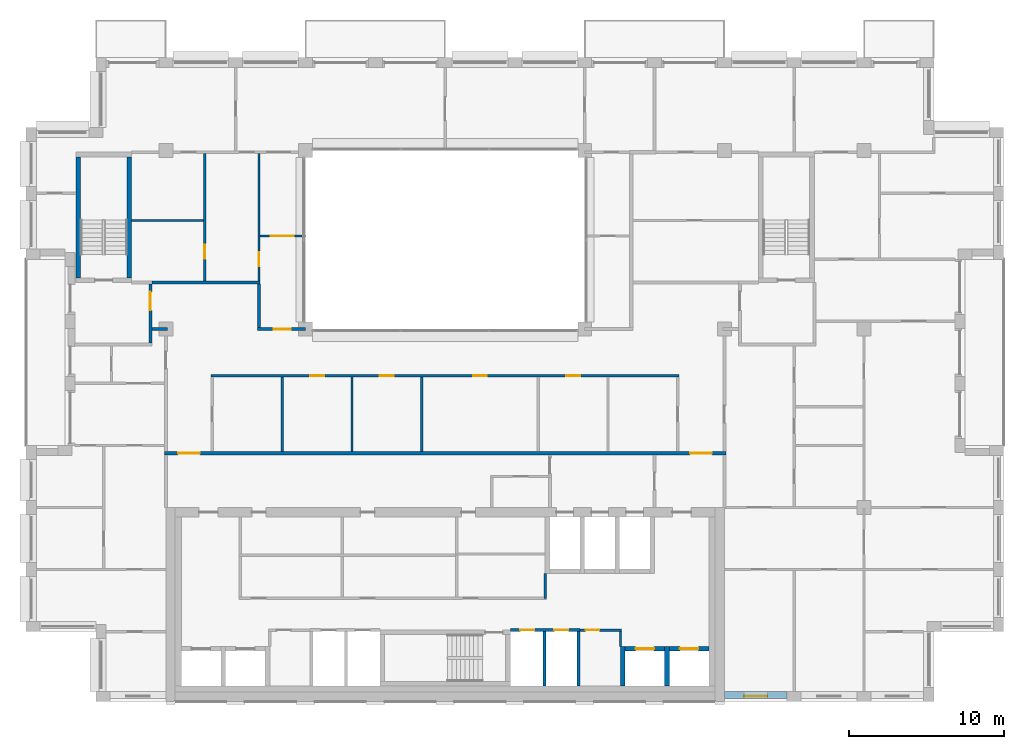
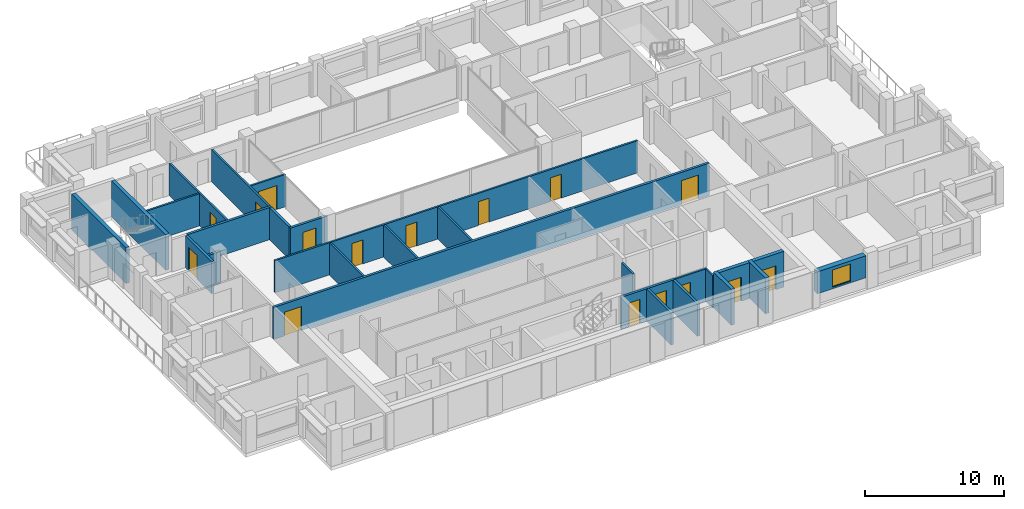
# One storey, part 10 of 15: 27 walls, 16 doors, 1 window, 17 openings.
"""IFC4 building model written with IfcOpenShell, lengths in metres."""

from ifc_helpers import new_model, si_unit, direction, frame, frame_2d, origin, place, context, subcontext, project, spatial, rectangle, extrude, material, layer, layer_set, type_object, element, fill, save


model = new_model("IFC4")

# Units and contexts
model_context = context("Model", 3, precision=1e-05, world=origin(), true_north=direction((0.0, 1.0)))
body_context = subcontext(model_context, "Body", "Model", "MODEL_VIEW")
ifc_project = project(units=[si_unit("LENGTHUNIT", "METRE"), si_unit("AREAUNIT", "SQUARE_METRE"), si_unit("VOLUMEUNIT", "CUBIC_METRE"), si_unit("PLANEANGLEUNIT", "RADIAN"), si_unit("MASSUNIT", "GRAM", prefix="KILO")], contexts=[model_context])

# Site, building, storey
site_placement = place(None, origin())
site = spatial("IfcSite", under=ifc_project, at=site_placement, CompositionType="ELEMENT")
building_placement = place(site_placement, origin())
building = spatial("IfcBuilding", under=site, at=building_placement, Name="Brigalow Station Residences", CompositionType="ELEMENT")
storey_placement = place(building_placement, frame((0.0, 0.0, 229.5)))
storey = spatial("IfcBuildingStorey", under=building, at=storey_placement, Name="L66", CompositionType="ELEMENT", Elevation=229.5)

# Wall, opening, window
ifc_material_1 = material(Name="Clay brick masonry", Category="masonry")
ifc_layer_1 = layer(ifc_material_1, 0.449951171875)
ifc_layer_set_1 = layer_set([ifc_layer_1], Name="BRICK INFILL WALL 450")
wall_type_1 = type_object("IfcWallType", Name="BRICK INFILL WALL 450", PredefinedType="SOLIDWALL", material=ifc_layer_set_1)
wall_1_placement = place(storey_placement, frame((54.0, 0.425048828125, 0.89990234375), z_axis=(0.0, 0.0, 1.0), x_axis=(1.0, 0.0, 0.0)))
wall_1 = element("IfcWall", 1, at=wall_1_placement, inside=storey, type_object=wall_type_1, Name="L66/ewall/W-L66-3", PredefinedType="SOLIDWALL", context=body_context, shape_type="SweptSolid", body=[
    extrude(rectangle(XDim=4.050048828125, YDim=0.449951171875, at=frame_2d((2.02490234375, 0.0))), origin(), (0.0, 0.0, 1.0), 1.93017578125),
])
opening_1_placement = place(wall_1_placement, frame((1.27490234375, 0.0, 0.14990234375)))
opening_1 = element("IfcOpeningElement", 2, at=opening_1_placement, cuts=wall_1, Name="Opening WT-1", PredefinedType="OPENING", context=body_context, shape_type="SweptSolid", body=[
    extrude(rectangle(XDim=1.5, YDim=1.5, at=frame_2d((0.75, 0.75))), frame((0.0, 0.23486328125, 0.0), z_axis=(0.0, -1.0, 0.0), x_axis=(1.0, 0.0, 0.0)), (0.0, 0.0, 1.0), 0.469970703125),
])
ifc_material_2 = material(Name="Anodised aluminium frame with double glazing", Category="aluminium")
window_type = type_object("IfcWindowType", Name="WINDOW 1500x1500", PartitioningType="SINGLE_PANEL", PredefinedType="WINDOW", material=ifc_material_2)
window_placement = place(opening_1_placement, origin())
window = element("IfcWindow", 3, at=window_placement, inside=storey, type_object=window_type, Name="L66/window/W-L66-3", OverallHeight=1.5, OverallWidth=1.5, PartitioningType="SINGLE_PANEL", PredefinedType="WINDOW", context=body_context, shape_type="SweptSolid", body=[
    extrude(rectangle(XDim=1.5, YDim=1.5, at=frame_2d((0.75, 0.75))), frame((0.0, -0.06494140625, 0.0), z_axis=(0.0, -1.0, 0.0), x_axis=(1.0, 0.0, 0.0)), (0.0, 0.0, 1.0), 0.06005859375),
])
fill(opening_1, window)

# Wall, opening, door
ifc_material_3 = material(Name="Concrete C50", Category="concrete")
ifc_layer_2 = layer(ifc_material_3, 0.300048828125)
ifc_layer_set_2 = layer_set([ifc_layer_2], Name="CORE SHEAR WALL 300 C50")
wall_type_2 = type_object("IfcWallType", Name="CORE SHEAR WALL 300 C50", PredefinedType="SHEAR", material=ifc_layer_set_2)
wall_2_placement = place(storey_placement, frame((47.60009765625, 3.39990234375, 0.0), z_axis=(0.0, 0.0, 1.0), x_axis=(1.0, 0.0, 0.0)))
wall_2 = element("IfcWall", 4, at=wall_2_placement, inside=storey, type_object=wall_type_2, Name="CORE WALL SH-C3-N L66", PredefinedType="SHEAR", context=body_context, shape_type="SweptSolid", body=[
    extrude(rectangle(XDim=2.5498046875, YDim=0.300048828125, at=frame_2d((1.27490234375, 0.0))), origin(), (0.0, 0.0, 1.0), 3.14990234375),
])
opening_2_placement = place(wall_2_placement, frame((0.675048828125, 0.0, 0.0)))
opening_2 = element("IfcOpeningElement", 5, at=opening_2_placement, cuts=wall_2, Name="Opening LD-LB3", PredefinedType="OPENING", context=body_context, shape_type="SweptSolid", body=[
    extrude(rectangle(XDim=1.199951171875, YDim=2.10009765625, at=frame_2d((0.60009765625, 1.050048828125))), frame((0.0, 0.16015625, 0.0), z_axis=(0.0, -1.0, 0.0), x_axis=(1.0, 0.0, 0.0)), (0.0, 0.0, 1.0), 0.320068359375),
])
ifc_material_4 = material(Name="Stainless steel sliding door leaves", Category="steel")
door_type_1 = type_object("IfcDoorType", Name="LIFT LANDING DOOR 1200 x 2100", OperationType="DOUBLE_DOOR_SLIDING", PredefinedType="DOOR", material=ifc_material_4)
door_1_placement = place(opening_2_placement, origin())
door_1 = element("IfcDoor", 6, at=door_1_placement, inside=storey, type_object=door_type_1, Name="LANDING DOOR LB3", OperationType="DOUBLE_DOOR_SLIDING", OverallHeight=2.10009765625, OverallWidth=1.199951171875, PredefinedType="DOOR", context=body_context, shape_type="SweptSolid", body=[
    extrude(rectangle(XDim=1.199951171875, YDim=2.10009765625, at=frame_2d((0.60009765625, 1.050048828125))), frame((0.0, 0.02490234375, 0.0), z_axis=(0.0, -1.0, 0.0), x_axis=(1.0, 0.0, 0.0)), (0.0, 0.0, 1.0), 0.050048828125),
])
fill(opening_2, door_1)

# Wall
wall_3_placement = place(storey_placement, frame((47.449951171875, 1.0, 0.0), z_axis=(0.0, 0.0, 1.0), x_axis=(0.0, 1.0, 0.0)))
element("IfcWall", 7, at=wall_3_placement, inside=storey, type_object=wall_type_2, Name="CORE WALL SH-C3-W L66", PredefinedType="SHEAR", context=body_context, shape_type="SweptSolid", body=[
    extrude(rectangle(XDim=2.550048828125, YDim=0.300048828125, at=frame_2d((1.27490234375, 0.0))), origin(), (0.0, 0.0, 1.0), 3.14990234375),
])

# Wall, opening, door
wall_4_placement = place(storey_placement, frame((50.449951171875, 3.39990234375, 0.0), z_axis=(0.0, 0.0, 1.0), x_axis=(1.0, 0.0, 0.0)))
wall_4 = element("IfcWall", 8, at=wall_4_placement, inside=storey, type_object=wall_type_2, Name="CORE WALL SH-C4-N L66", PredefinedType="SHEAR", context=body_context, shape_type="SweptSolid", body=[
    extrude(rectangle(XDim=2.550048828125, YDim=0.300048828125, at=frame_2d((1.27490234375, 0.0))), origin(), (0.0, 0.0, 1.0), 3.14990234375),
])
opening_3_placement = place(wall_4_placement, frame((0.675048828125, 0.0, 0.0)))
opening_3 = element("IfcOpeningElement", 9, at=opening_3_placement, cuts=wall_4, Name="Opening LD-LB4", PredefinedType="OPENING", context=body_context, shape_type="SweptSolid", body=[
    extrude(rectangle(XDim=1.199951171875, YDim=2.10009765625, at=frame_2d((0.60009765625, 1.050048828125))), frame((0.0, 0.16015625, 0.0), z_axis=(0.0, -1.0, 0.0), x_axis=(1.0, 0.0, 0.0)), (0.0, 0.0, 1.0), 0.320068359375),
])
door_2_placement = place(opening_3_placement, origin())
door_2 = element("IfcDoor", 10, at=door_2_placement, inside=storey, type_object=door_type_1, Name="LANDING DOOR LB4", OperationType="DOUBLE_DOOR_SLIDING", OverallHeight=2.10009765625, OverallWidth=1.199951171875, PredefinedType="DOOR", context=body_context, shape_type="SweptSolid", body=[
    extrude(rectangle(XDim=1.199951171875, YDim=2.10009765625, at=frame_2d((0.60009765625, 1.050048828125))), frame((0.0, 0.02490234375, 0.0), z_axis=(0.0, -1.0, 0.0), x_axis=(1.0, 0.0, 0.0)), (0.0, 0.0, 1.0), 0.050048828125),
])
fill(opening_3, door_2)

# Walls
wall_5_placement = place(storey_placement, frame((50.300048828125, 1.0, 0.0), z_axis=(0.0, 0.0, 1.0), x_axis=(0.0, 1.0, 0.0)))
element("IfcWall", 11, at=wall_5_placement, inside=storey, type_object=wall_type_2, Name="CORE WALL SH-C4-W L66", PredefinedType="SHEAR", context=body_context, shape_type="SweptSolid", body=[
    extrude(rectangle(XDim=2.550048828125, YDim=0.300048828125, at=frame_2d((1.27490234375, 0.0))), origin(), (0.0, 0.0, 1.0), 3.14990234375),
])
for number, where, z_axis, x_axis, name in (
    (12, (12.35009765625, 27.300048828125, 0.0), (0.0, 0.0, 1.0), (0.0, 1.0, 0.0), "CORE WALL ST-S1-W L66"),
    (13, (15.64990234375, 27.300048828125, 0.0), (0.0, 0.0, 1.0), (0.0, 1.0, 0.0), "CORE WALL ST-S1-E L66"),
):
    element("IfcWall", number, at=place(storey_placement, frame(where, z_axis=z_axis, x_axis=x_axis)), inside=storey, type_object=wall_type_2, Name=name, PredefinedType="SHEAR", context=body_context, shape_type="SweptSolid", body=[
        extrude(rectangle(XDim=7.800048828125, YDim=0.300048828125, at=frame_2d((3.89990234375, 0.0))), origin(), (0.0, 0.0, 1.0), 3.14990234375),
    ])

# Wall, openings, doors
ifc_material_5 = material(Name="Concrete blockwork", Category="masonry")
ifc_layer_3 = layer(ifc_material_5, 0.199951171875)
ifc_layer_set_3 = layer_set([ifc_layer_3], Name="FIRE RATED CORE PARTITION 200")
wall_type_3 = type_object("IfcWallType", Name="FIRE RATED CORE PARTITION 200", PredefinedType="PARTITIONING", material=ifc_layer_set_3)
wall_6_placement = place(storey_placement, frame((40.199951171875, 4.60009765625, 0.0), z_axis=(0.0, 0.0, 1.0), x_axis=(1.0, 0.0, 0.0)))
wall_6 = element("IfcWall", 14, at=wall_6_placement, inside=storey, type_object=wall_type_3, Name="PW-5018", PredefinedType="PARTITIONING", context=body_context, shape_type="SweptSolid", body=[
    extrude(rectangle(XDim=4.5, YDim=0.199951171875, at=frame_2d((2.25, 0.0))), origin(), (0.0, 0.0, 1.0), 2.830078125),
])
opening_4_placement = place(wall_6_placement, frame((0.64990234375, 0.0, 0.0)))
opening_4 = element("IfcOpeningElement", 15, at=opening_4_placement, cuts=wall_6, Name="Opening D-5009", PredefinedType="OPENING", context=body_context, shape_type="SweptSolid", body=[
    extrude(rectangle(XDim=0.89990234375, YDim=2.10009765625, at=frame_2d((0.449951171875, 1.050048828125))), frame((0.0, 0.10986328125, 0.0), z_axis=(0.0, -1.0, 0.0), x_axis=(1.0, 0.0, 0.0)), (0.0, 0.0, 1.0), 0.219970703125),
])
opening_5_placement = place(wall_6_placement, frame((2.85009765625, 0.0, 0.0)))
opening_5 = element("IfcOpeningElement", 16, at=opening_5_placement, cuts=wall_6, Name="Opening D-5010", PredefinedType="OPENING", context=body_context, shape_type="SweptSolid", body=[
    extrude(rectangle(XDim=0.89990234375, YDim=2.10009765625, at=frame_2d((0.449951171875, 1.050048828125))), frame((0.0, 0.10986328125, 0.0), z_axis=(0.0, -1.0, 0.0), x_axis=(1.0, 0.0, 0.0)), (0.0, 0.0, 1.0), 0.219970703125),
])
ifc_material_6 = material(Name="Steel fire door leaf in steel frame", Category="steel")
door_type_2 = type_object("IfcDoorType", Name="RISER ACCESS DOOR 900 x 2100 FD120", OperationType="SINGLE_SWING_LEFT", PredefinedType="DOOR", material=ifc_material_6)
door_3_placement = place(opening_4_placement, frame((0.89990234375, 0.0, 0.0), z_axis=(0.0, 0.0, 1.0), x_axis=(-1.0, 0.0, 0.0)))
door_3 = element("IfcDoor", 17, at=door_3_placement, inside=storey, type_object=door_type_2, Name="D-5009", OperationType="SINGLE_SWING_LEFT", OverallHeight=2.10009765625, OverallWidth=0.89990234375, PredefinedType="DOOR", context=body_context, shape_type="SweptSolid", body=[
    extrude(rectangle(XDim=0.89990234375, YDim=2.10009765625, at=frame_2d((0.449951171875, 1.050048828125))), frame((0.0, 0.02490234375, 0.0), z_axis=(0.0, -1.0, 0.0), x_axis=(1.0, 0.0, 0.0)), (0.0, 0.0, 1.0), 0.050048828125),
])
fill(opening_4, door_3)
door_4_placement = place(opening_5_placement, frame((0.89990234375, 0.0, 0.0), z_axis=(0.0, 0.0, 1.0), x_axis=(-1.0, 0.0, 0.0)))
door_4 = element("IfcDoor", 18, at=door_4_placement, inside=storey, type_object=door_type_2, Name="D-5010", OperationType="SINGLE_SWING_LEFT", OverallHeight=2.10009765625, OverallWidth=0.89990234375, PredefinedType="DOOR", context=body_context, shape_type="SweptSolid", body=[
    extrude(rectangle(XDim=0.89990234375, YDim=2.10009765625, at=frame_2d((0.449951171875, 1.050048828125))), frame((0.0, 0.02490234375, 0.0), z_axis=(0.0, -1.0, 0.0), x_axis=(1.0, 0.0, 0.0)), (0.0, 0.0, 1.0), 0.050048828125),
])
fill(opening_5, door_4)

# Walls
for number, where, z_axis, x_axis, name in (
    (19, (42.39990234375, 1.0, 0.0), (0.0, 0.0, 1.0), (0.0, 1.0, 0.0), "PW-5007"),
    (20, (44.60009765625, 1.0, 0.0), (0.0, 0.0, 1.0), (0.0, 1.0, 0.0), "PW-5008"),
):
    element("IfcWall", number, at=place(storey_placement, frame(where, z_axis=z_axis, x_axis=x_axis)), inside=storey, type_object=wall_type_3, Name=name, PredefinedType="PARTITIONING", context=body_context, shape_type="SweptSolid", body=[
        extrude(rectangle(XDim=3.5, YDim=0.199951171875, at=frame_2d((1.75, 0.0))), origin(), (0.0, 0.0, 1.0), 2.830078125),
    ])

# Wall, opening, door
wall_7_placement = place(storey_placement, frame((17.0, 23.10009765625, 0.0), z_axis=(0.0, 0.0, 1.0), x_axis=(0.0, 1.0, 0.0)))
wall_7 = element("IfcWall", 21, at=wall_7_placement, inside=storey, type_object=wall_type_3, Name="PW-5035", PredefinedType="PARTITIONING", context=body_context, shape_type="SweptSolid", body=[
    extrude(rectangle(XDim=3.7998046875, YDim=0.199951171875, at=frame_2d((1.89990234375, 0.0))), origin(), (0.0, 0.0, 1.0), 2.830078125),
])
opening_6_placement = place(wall_7_placement, frame((2.10009765625, 0.0, 0.0)))
opening_6 = element("IfcOpeningElement", 22, at=opening_6_placement, cuts=wall_7, Name="Opening D-5016", PredefinedType="OPENING", context=body_context, shape_type="SweptSolid", body=[
    extrude(rectangle(XDim=1.199951171875, YDim=2.10009765625, at=frame_2d((0.60009765625, 1.050048828125))), frame((0.0, 0.10986328125, 0.0), z_axis=(0.0, -1.0, 0.0), x_axis=(1.0, 0.0, 0.0)), (0.0, 0.0, 1.0), 0.219970703125),
])
ifc_material_7 = material(Name="Steel fire door leaf in steel frame", Category="steel")
door_type_3 = type_object("IfcDoorType", Name="STAIR LOBBY DOOR 1200 x 2100 FD60S", OperationType="SINGLE_SWING_LEFT", PredefinedType="DOOR", material=ifc_material_7)
door_5_placement = place(opening_6_placement, origin())
door_5 = element("IfcDoor", 23, at=door_5_placement, inside=storey, type_object=door_type_3, Name="D-5016", OperationType="SINGLE_SWING_RIGHT", OverallHeight=2.10009765625, OverallWidth=1.199951171875, PredefinedType="DOOR", context=body_context, shape_type="SweptSolid", body=[
    extrude(rectangle(XDim=1.199951171875, YDim=2.10009765625, at=frame_2d((0.60009765625, 1.050048828125))), frame((0.0, 0.02490234375, 0.0), z_axis=(0.0, -1.0, 0.0), x_axis=(1.0, 0.0, 0.0)), (0.0, 0.0, 1.0), 0.050048828125),
])
fill(opening_6, door_5)

# Wall, openings, doors
ifc_material_8 = material(Name="Plasterboard on steel stud partition", Category="steel")
ifc_layer_4 = layer(ifc_material_8, 0.14990234375)
ifc_layer_set_4 = layer_set([ifc_layer_4], Name="FLAT PARTITION 150")
wall_type_4 = type_object("IfcWallType", Name="FLAT PARTITION 150", PredefinedType="PARTITIONING", material=ifc_layer_set_4)
wall_8_placement = place(storey_placement, frame((20.925048828125, 21.0, 0.0), z_axis=(0.0, 0.0, 1.0), x_axis=(1.0, 0.0, 0.0)))
wall_8 = element("IfcWall", 24, at=wall_8_placement, inside=storey, type_object=wall_type_4, Name="PW-4E05", PredefinedType="PARTITIONING", context=body_context, shape_type="SweptSolid", body=[
    extrude(rectangle(XDim=30.14990234375, YDim=0.14990234375, at=frame_2d((15.074951171875, 0.0))), origin(), (0.0, 0.0, 1.0), 2.830078125),
])
opening_7_placement = place(wall_8_placement, frame((6.375, 0.0, 0.0)))
opening_7 = element("IfcOpeningElement", 25, at=opening_7_placement, cuts=wall_8, Name="Opening D-4E45", PredefinedType="OPENING", context=body_context, shape_type="SweptSolid", body=[
    extrude(rectangle(XDim=0.89990234375, YDim=2.10009765625, at=frame_2d((0.449951171875, 1.050048828125))), frame((0.0, 0.0849609375, 0.0), z_axis=(0.0, -1.0, 0.0), x_axis=(1.0, 0.0, 0.0)), (0.0, 0.0, 1.0), 0.169921875),
])
opening_8_placement = place(wall_8_placement, frame((10.875, 0.0, 0.0)))
opening_8 = element("IfcOpeningElement", 26, at=opening_8_placement, cuts=wall_8, Name="Opening D-4E46", PredefinedType="OPENING", context=body_context, shape_type="SweptSolid", body=[
    extrude(rectangle(XDim=0.89990234375, YDim=2.10009765625, at=frame_2d((0.449951171875, 1.050048828125))), frame((0.0, 0.0849609375, 0.0), z_axis=(0.0, -1.0, 0.0), x_axis=(1.0, 0.0, 0.0)), (0.0, 0.0, 1.0), 0.169921875),
])
opening_9_placement = place(wall_8_placement, frame((16.875, 0.0, 0.0)))
opening_9 = element("IfcOpeningElement", 27, at=opening_9_placement, cuts=wall_8, Name="Opening D-4E47", PredefinedType="OPENING", context=body_context, shape_type="SweptSolid", body=[
    extrude(rectangle(XDim=0.89990234375, YDim=2.10009765625, at=frame_2d((0.449951171875, 1.050048828125))), frame((0.0, 0.0849609375, 0.0), z_axis=(0.0, -1.0, 0.0), x_axis=(1.0, 0.0, 0.0)), (0.0, 0.0, 1.0), 0.169921875),
])
opening_10_placement = place(wall_8_placement, frame((22.875, 0.0, 0.0)))
opening_10 = element("IfcOpeningElement", 28, at=opening_10_placement, cuts=wall_8, Name="Opening D-4E48", PredefinedType="OPENING", context=body_context, shape_type="SweptSolid", body=[
    extrude(rectangle(XDim=0.89990234375, YDim=2.10009765625, at=frame_2d((0.449951171875, 1.050048828125))), frame((0.0, 0.0849609375, 0.0), z_axis=(0.0, -1.0, 0.0), x_axis=(1.0, 0.0, 0.0)), (0.0, 0.0, 1.0), 0.169921875),
])
ifc_material_9 = material(Name="Solid-core timber door leaf", Category="wood")
door_type_4 = type_object("IfcDoorType", Name="INTERNAL DOOR 900 x 2100", OperationType="SINGLE_SWING_LEFT", PredefinedType="DOOR", material=ifc_material_9)
door_6_placement = place(opening_7_placement, frame((0.89990234375, 0.0, 0.0), z_axis=(0.0, 0.0, 1.0), x_axis=(-1.0, 0.0, 0.0)))
door_6 = element("IfcDoor", 29, at=door_6_placement, inside=storey, type_object=door_type_4, Name="D-4E45", OperationType="SINGLE_SWING_RIGHT", OverallHeight=2.10009765625, OverallWidth=0.89990234375, PredefinedType="DOOR", context=body_context, shape_type="SweptSolid", body=[
    extrude(rectangle(XDim=0.89990234375, YDim=2.10009765625, at=frame_2d((0.449951171875, 1.050048828125))), frame((0.0, 0.02490234375, 0.0), z_axis=(0.0, -1.0, 0.0), x_axis=(1.0, 0.0, 0.0)), (0.0, 0.0, 1.0), 0.050048828125),
])
fill(opening_7, door_6)
door_7_placement = place(opening_8_placement, frame((0.89990234375, 0.0, 0.0), z_axis=(0.0, 0.0, 1.0), x_axis=(-1.0, 0.0, 0.0)))
door_7 = element("IfcDoor", 30, at=door_7_placement, inside=storey, type_object=door_type_4, Name="D-4E46", OperationType="SINGLE_SWING_RIGHT", OverallHeight=2.10009765625, OverallWidth=0.89990234375, PredefinedType="DOOR", context=body_context, shape_type="SweptSolid", body=[
    extrude(rectangle(XDim=0.89990234375, YDim=2.10009765625, at=frame_2d((0.449951171875, 1.050048828125))), frame((0.0, 0.02490234375, 0.0), z_axis=(0.0, -1.0, 0.0), x_axis=(1.0, 0.0, 0.0)), (0.0, 0.0, 1.0), 0.050048828125),
])
fill(opening_8, door_7)
door_8_placement = place(opening_9_placement, frame((0.89990234375, 0.0, 0.0), z_axis=(0.0, 0.0, 1.0), x_axis=(-1.0, 0.0, 0.0)))
door_8 = element("IfcDoor", 31, at=door_8_placement, inside=storey, type_object=door_type_4, Name="D-4E47", OperationType="SINGLE_SWING_RIGHT", OverallHeight=2.10009765625, OverallWidth=0.89990234375, PredefinedType="DOOR", context=body_context, shape_type="SweptSolid", body=[
    extrude(rectangle(XDim=0.89990234375, YDim=2.10009765625, at=frame_2d((0.449951171875, 1.050048828125))), frame((0.0, 0.02490234375, 0.0), z_axis=(0.0, -1.0, 0.0), x_axis=(1.0, 0.0, 0.0)), (0.0, 0.0, 1.0), 0.050048828125),
])
fill(opening_9, door_8)
door_9_placement = place(opening_10_placement, frame((0.89990234375, 0.0, 0.0), z_axis=(0.0, 0.0, 1.0), x_axis=(-1.0, 0.0, 0.0)))
door_9 = element("IfcDoor", 32, at=door_9_placement, inside=storey, type_object=door_type_4, Name="D-4E48", OperationType="SINGLE_SWING_LEFT", OverallHeight=2.10009765625, OverallWidth=0.89990234375, PredefinedType="DOOR", context=body_context, shape_type="SweptSolid", body=[
    extrude(rectangle(XDim=0.89990234375, YDim=2.10009765625, at=frame_2d((0.449951171875, 1.050048828125))), frame((0.0, 0.02490234375, 0.0), z_axis=(0.0, -1.0, 0.0), x_axis=(1.0, 0.0, 0.0)), (0.0, 0.0, 1.0), 0.050048828125),
])
fill(opening_10, door_9)

# Wall, opening, door
wall_9_placement = place(storey_placement, frame((24.074951171875, 30.0, 0.0), z_axis=(0.0, 0.0, 1.0), x_axis=(1.0, 0.0, 0.0)))
wall_9 = element("IfcWall", 33, at=wall_9_placement, inside=storey, type_object=wall_type_4, Name="PW-4E17", PredefinedType="PARTITIONING", context=body_context, shape_type="SweptSolid", body=[
    extrude(rectangle(XDim=2.925048828125, YDim=0.14990234375, at=frame_2d((1.46240234375, 0.0))), origin(), (0.0, 0.0, 1.0), 2.830078125),
])
opening_11_placement = place(wall_9_placement, frame((0.675048828125, 0.0, 0.0)))
opening_11 = element("IfcOpeningElement", 34, at=opening_11_placement, cuts=wall_9, Name="Opening D-4E12", PredefinedType="OPENING", context=body_context, shape_type="SweptSolid", body=[
    extrude(rectangle(XDim=1.5, YDim=2.10009765625, at=frame_2d((0.75, 1.050048828125))), frame((0.0, 0.0849609375, 0.0), z_axis=(0.0, -1.0, 0.0), x_axis=(1.0, 0.0, 0.0)), (0.0, 0.0, 1.0), 0.169921875),
])
ifc_material_10 = material(Name="Solid-core timber door leaf", Category="wood")
door_type_5 = type_object("IfcDoorType", Name="INTERNAL DOUBLE DOOR 1500 x 2100", OperationType="DOUBLE_DOOR_SINGLE_SWING", PredefinedType="DOOR", material=ifc_material_10)
door_10_placement = place(opening_11_placement, frame((1.5, 0.0, 0.0), z_axis=(0.0, 0.0, 1.0), x_axis=(-1.0, 0.0, 0.0)))
door_10 = element("IfcDoor", 35, at=door_10_placement, inside=storey, type_object=door_type_5, Name="D-4E12", OperationType="DOUBLE_DOOR_SINGLE_SWING", OverallHeight=2.10009765625, OverallWidth=1.5, PredefinedType="DOOR", context=body_context, shape_type="SweptSolid", body=[
    extrude(rectangle(XDim=1.5, YDim=2.10009765625, at=frame_2d((0.75, 1.050048828125))), frame((0.0, 0.02490234375, 0.0), z_axis=(0.0, -1.0, 0.0), x_axis=(1.0, 0.0, 0.0)), (0.0, 0.0, 1.0), 0.050048828125),
])
fill(opening_11, door_10)

# Wall
wall_10_placement = place(storey_placement, frame((15.800048828125, 31.0, 0.0), z_axis=(0.0, 0.0, 1.0), x_axis=(1.0, 0.0, 0.0)))
element("IfcWall", 36, at=wall_10_placement, inside=storey, type_object=wall_type_4, Name="PW-4E24", PredefinedType="PARTITIONING", context=body_context, shape_type="SweptSolid", body=[
    extrude(rectangle(XDim=4.625, YDim=0.14990234375, at=frame_2d((2.3125, 0.0))), origin(), (0.0, 0.0, 1.0), 2.830078125),
])

# Wall, opening, door
wall_11_placement = place(storey_placement, frame((24.0, 27.10009765625, 0.0), z_axis=(0.0, 0.0, 1.0), x_axis=(0.0, 1.0, 0.0)))
wall_11 = element("IfcWall", 37, at=wall_11_placement, inside=storey, type_object=wall_type_4, Name="PW-4E36", PredefinedType="PARTITIONING", context=body_context, shape_type="SweptSolid", body=[
    extrude(rectangle(XDim=8.224853515625, YDim=0.14990234375, at=frame_2d((4.1123046875, 0.0))), origin(), (0.0, 0.0, 1.0), 2.830078125),
])
opening_12_placement = place(wall_11_placement, frame((0.949951171875, 0.0, 0.0)))
opening_12 = element("IfcOpeningElement", 38, at=opening_12_placement, cuts=wall_11, Name="Opening D-4E13", PredefinedType="OPENING", context=body_context, shape_type="SweptSolid", body=[
    extrude(rectangle(XDim=0.89990234375, YDim=2.10009765625, at=frame_2d((0.449951171875, 1.050048828125))), frame((0.0, 0.0849609375, 0.0), z_axis=(0.0, -1.0, 0.0), x_axis=(1.0, 0.0, 0.0)), (0.0, 0.0, 1.0), 0.169921875),
])
door_11_placement = place(opening_12_placement, frame((0.89990234375, 0.0, 0.0), z_axis=(0.0, 0.0, 1.0), x_axis=(-1.0, 0.0, 0.0)))
door_11 = element("IfcDoor", 39, at=door_11_placement, inside=storey, type_object=door_type_4, Name="D-4E13", OperationType="SINGLE_SWING_LEFT", OverallHeight=2.10009765625, OverallWidth=0.89990234375, PredefinedType="DOOR", context=body_context, shape_type="SweptSolid", body=[
    extrude(rectangle(XDim=0.89990234375, YDim=2.10009765625, at=frame_2d((0.449951171875, 1.050048828125))), frame((0.0, 0.02490234375, 0.0), z_axis=(0.0, -1.0, 0.0), x_axis=(1.0, 0.0, 0.0)), (0.0, 0.0, 1.0), 0.050048828125),
])
fill(opening_12, door_11)

wall_12_placement = place(storey_placement, frame((20.5, 27.10009765625, 0.0), z_axis=(0.0, 0.0, 1.0), x_axis=(0.0, 1.0, 0.0)))
wall_12 = element("IfcWall", 40, at=wall_12_placement, inside=storey, type_object=wall_type_4, Name="PW-4E41", PredefinedType="PARTITIONING", context=body_context, shape_type="SweptSolid", body=[
    extrude(rectangle(XDim=8.224853515625, YDim=0.14990234375, at=frame_2d((4.1123046875, 0.0))), origin(), (0.0, 0.0, 1.0), 2.830078125),
])
opening_13_placement = place(wall_12_placement, frame((1.449951171875, 0.0, 0.0)))
opening_13 = element("IfcOpeningElement", 41, at=opening_13_placement, cuts=wall_12, Name="Opening D-4E14", PredefinedType="OPENING", context=body_context, shape_type="SweptSolid", body=[
    extrude(rectangle(XDim=0.89990234375, YDim=2.10009765625, at=frame_2d((0.449951171875, 1.050048828125))), frame((0.0, 0.0849609375, 0.0), z_axis=(0.0, -1.0, 0.0), x_axis=(1.0, 0.0, 0.0)), (0.0, 0.0, 1.0), 0.169921875),
])
door_12_placement = place(opening_13_placement, origin())
door_12 = element("IfcDoor", 42, at=door_12_placement, inside=storey, type_object=door_type_4, Name="D-4E14", OperationType="SINGLE_SWING_LEFT", OverallHeight=2.10009765625, OverallWidth=0.89990234375, PredefinedType="DOOR", context=body_context, shape_type="SweptSolid", body=[
    extrude(rectangle(XDim=0.89990234375, YDim=2.10009765625, at=frame_2d((0.449951171875, 1.050048828125))), frame((0.0, 0.02490234375, 0.0), z_axis=(0.0, -1.0, 0.0), x_axis=(1.0, 0.0, 0.0)), (0.0, 0.0, 1.0), 0.050048828125),
])
fill(opening_13, door_12)

# Walls
for number, where, z_axis, x_axis, name in (
    (43, (25.5, 16.10009765625, 0.0), (0.0, 0.0, 1.0), (0.0, 1.0, 0.0), "PW-4E54"),
    (44, (30.0, 16.10009765625, 0.0), (0.0, 0.0, 1.0), (0.0, 1.0, 0.0), "PW-4E55"),
    (45, (34.5, 16.10009765625, 0.0), (0.0, 0.0, 1.0), (0.0, 1.0, 0.0), "PW-4E56"),
):
    element("IfcWall", number, at=place(storey_placement, frame(where, z_axis=z_axis, x_axis=x_axis)), inside=storey, type_object=wall_type_4, Name=name, PredefinedType="PARTITIONING", context=body_context, shape_type="SweptSolid", body=[
        extrude(rectangle(XDim=4.824951171875, YDim=0.14990234375, at=frame_2d((2.41259765625, 0.0))), origin(), (0.0, 0.0, 1.0), 2.830078125),
    ])
ifc_material_11 = material(Name="Plasterboard on steel stud partition", Category="steel")
ifc_layer_5 = layer(ifc_material_11, 0.199951171875)
ifc_layer_set_5 = layer_set([ifc_layer_5], Name="PARTY AND CORRIDOR WALL 200")
wall_type_5 = type_object("IfcWallType", Name="PARTY AND CORRIDOR WALL 200", PredefinedType="PARTITIONING", material=ifc_layer_set_5)
wall_13_placement = place(storey_placement, frame((17.10009765625, 24.0, 0.0), z_axis=(0.0, 0.0, 1.0), x_axis=(1.0, 0.0, 0.0)))
element("IfcWall", 46, at=wall_13_placement, inside=storey, type_object=wall_type_5, Name="PW-4E01", PredefinedType="PARTITIONING", context=body_context, shape_type="SweptSolid", body=[
    extrude(rectangle(XDim=1.0, YDim=0.199951171875, at=frame_2d((0.5, 0.0))), origin(), (0.0, 0.0, 1.0), 2.830078125),
])

# Wall, opening, door
wall_14_placement = place(storey_placement, frame((23.89990234375, 24.0, 0.0), z_axis=(0.0, 0.0, 1.0), x_axis=(1.0, 0.0, 0.0)))
wall_14 = element("IfcWall", 47, at=wall_14_placement, inside=storey, type_object=wall_type_5, Name="PW-4E02", PredefinedType="PARTITIONING", context=body_context, shape_type="SweptSolid", body=[
    extrude(rectangle(XDim=3.10009765625, YDim=0.199951171875, at=frame_2d((1.550048828125, 0.0))), origin(), (0.0, 0.0, 1.0), 2.830078125),
])
opening_14_placement = place(wall_14_placement, frame((1.050048828125, 0.0, 0.0)))
opening_14 = element("IfcOpeningElement", 48, at=opening_14_placement, cuts=wall_14, Name="Opening D-4E11", PredefinedType="OPENING", context=body_context, shape_type="SweptSolid", body=[
    extrude(rectangle(XDim=1.10009765625, YDim=2.10009765625, at=frame_2d((0.550048828125, 1.050048828125))), frame((0.0, 0.10986328125, 0.0), z_axis=(0.0, -1.0, 0.0), x_axis=(1.0, 0.0, 0.0)), (0.0, 0.0, 1.0), 0.219970703125),
])
ifc_material_12 = material(Name="Solid-core timber door leaf", Category="wood")
door_type_6 = type_object("IfcDoorType", Name="FLAT ENTRANCE DOOR 1100 x 2100 FRL -/60/30", OperationType="SINGLE_SWING_LEFT", PredefinedType="DOOR", material=ifc_material_12)
door_13_placement = place(opening_14_placement, origin())
door_13 = element("IfcDoor", 49, at=door_13_placement, inside=storey, type_object=door_type_6, Name="D-4E11", OperationType="SINGLE_SWING_LEFT", OverallHeight=2.10009765625, OverallWidth=1.10009765625, PredefinedType="DOOR", context=body_context, shape_type="SweptSolid", body=[
    extrude(rectangle(XDim=1.10009765625, YDim=2.10009765625, at=frame_2d((0.550048828125, 1.050048828125))), frame((0.0, 0.02490234375, 0.0), z_axis=(0.0, -1.0, 0.0), x_axis=(1.0, 0.0, 0.0)), (0.0, 0.0, 1.0), 0.050048828125),
])
fill(opening_14, door_13)

# Wall
wall_15_placement = place(storey_placement, frame((17.10009765625, 27.0, 0.0), z_axis=(0.0, 0.0, 1.0), x_axis=(1.0, 0.0, 0.0)))
element("IfcWall", 50, at=wall_15_placement, inside=storey, type_object=wall_type_5, Name="PW-4E06", PredefinedType="PARTITIONING", context=body_context, shape_type="SweptSolid", body=[
    extrude(rectangle(XDim=6.974853515625, YDim=0.199951171875, at=frame_2d((3.4873046875, 0.0))), origin(), (0.0, 0.0, 1.0), 2.830078125),
])

# Wall, openings, doors
wall_16_placement = place(storey_placement, frame((17.89990234375, 16.0, 0.0), z_axis=(0.0, 0.0, 1.0), x_axis=(1.0, 0.0, 0.0)))
wall_16 = element("IfcWall", 51, at=wall_16_placement, inside=storey, type_object=wall_type_5, Name="PW-4E31", PredefinedType="PARTITIONING", context=body_context, shape_type="SweptSolid", body=[
    extrude(rectangle(XDim=36.2001953125, YDim=0.199951171875, at=frame_2d((18.10009765625, 0.0))), origin(), (0.0, 0.0, 1.0), 2.830078125),
])
opening_15_placement = place(wall_16_placement, frame((0.89990234375, 0.0, 0.0)))
opening_15 = element("IfcOpeningElement", 52, at=opening_15_placement, cuts=wall_16, Name="Opening D-4E01", PredefinedType="OPENING", context=body_context, shape_type="SweptSolid", body=[
    extrude(rectangle(XDim=1.39990234375, YDim=2.10009765625, at=frame_2d((0.699951171875, 1.050048828125))), frame((0.0, 0.10986328125, 0.0), z_axis=(0.0, -1.0, 0.0), x_axis=(1.0, 0.0, 0.0)), (0.0, 0.0, 1.0), 0.219970703125),
])
opening_16_placement = place(wall_16_placement, frame((33.89990234375, 0.0, 0.0)))
opening_16 = element("IfcOpeningElement", 53, at=opening_16_placement, cuts=wall_16, Name="Opening D-4E02", PredefinedType="OPENING", context=body_context, shape_type="SweptSolid", body=[
    extrude(rectangle(XDim=1.39990234375, YDim=2.10009765625, at=frame_2d((0.699951171875, 1.050048828125))), frame((0.0, 0.10986328125, 0.0), z_axis=(0.0, -1.0, 0.0), x_axis=(1.0, 0.0, 0.0)), (0.0, 0.0, 1.0), 0.219970703125),
])
ifc_material_13 = material(Name="Solid-core timber door leaf", Category="wood")
door_type_7 = type_object("IfcDoorType", Name="CORRIDOR FIRE DOOR 1400 x 2100 FRL -/60/30", OperationType="DOUBLE_DOOR_SINGLE_SWING", PredefinedType="DOOR", material=ifc_material_13)
door_14_placement = place(opening_15_placement, frame((1.39990234375, 0.0, 0.0), z_axis=(0.0, 0.0, 1.0), x_axis=(-1.0, 0.0, 0.0)))
door_14 = element("IfcDoor", 54, at=door_14_placement, inside=storey, type_object=door_type_7, Name="D-4E01", OperationType="DOUBLE_DOOR_SINGLE_SWING", OverallHeight=2.10009765625, OverallWidth=1.39990234375, PredefinedType="DOOR", context=body_context, shape_type="SweptSolid", body=[
    extrude(rectangle(XDim=1.39990234375, YDim=2.10009765625, at=frame_2d((0.699951171875, 1.050048828125))), frame((0.0, 0.02490234375, 0.0), z_axis=(0.0, -1.0, 0.0), x_axis=(1.0, 0.0, 0.0)), (0.0, 0.0, 1.0), 0.050048828125),
])
fill(opening_15, door_14)
door_15_placement = place(opening_16_placement, frame((1.39990234375, 0.0, 0.0), z_axis=(0.0, 0.0, 1.0), x_axis=(-1.0, 0.0, 0.0)))
door_15 = element("IfcDoor", 55, at=door_15_placement, inside=storey, type_object=door_type_7, Name="D-4E02", OperationType="DOUBLE_DOOR_SINGLE_SWING", OverallHeight=2.10009765625, OverallWidth=1.39990234375, PredefinedType="DOOR", context=body_context, shape_type="SweptSolid", body=[
    extrude(rectangle(XDim=1.39990234375, YDim=2.10009765625, at=frame_2d((0.699951171875, 1.050048828125))), frame((0.0, 0.02490234375, 0.0), z_axis=(0.0, -1.0, 0.0), x_axis=(1.0, 0.0, 0.0)), (0.0, 0.0, 1.0), 0.050048828125),
])
fill(opening_16, door_15)

# Wall
wall_17_placement = place(storey_placement, frame((24.0, 24.10009765625, 0.0), z_axis=(0.0, 0.0, 1.0), x_axis=(0.0, 1.0, 0.0)))
element("IfcWall", 56, at=wall_17_placement, inside=storey, type_object=wall_type_5, Name="PW-4E37", PredefinedType="PARTITIONING", context=body_context, shape_type="SweptSolid", body=[
    extrude(rectangle(XDim=2.7998046875, YDim=0.199951171875, at=frame_2d((1.39990234375, 0.0))), origin(), (0.0, 0.0, 1.0), 2.830078125),
])

# Wall, opening, door
ifc_material_14 = material(Name="Plasterboard on steel studs", Category="steel")
ifc_layer_6 = layer(ifc_material_14, 0.14990234375)
ifc_layer_set_6 = layer_set([ifc_layer_6], Name="SERVICE ROOM PARTITION 150")
wall_type_6 = type_object("IfcWallType", Name="SERVICE ROOM PARTITION 150", PredefinedType="PARTITIONING", material=ifc_layer_set_6)
wall_18_placement = place(storey_placement, frame((44.699951171875, 4.60009765625, 0.0), z_axis=(0.0, 0.0, 1.0), x_axis=(1.0, 0.0, 0.0)))
wall_18 = element("IfcWall", 57, at=wall_18_placement, inside=storey, type_object=wall_type_6, Name="PW-5156", PredefinedType="PARTITIONING", context=body_context, shape_type="SweptSolid", body=[
    extrude(rectangle(XDim=2.675048828125, YDim=0.14990234375, at=frame_2d((1.33740234375, 0.0))), origin(), (0.0, 0.0, 1.0), 2.830078125),
])
opening_17_placement = place(wall_18_placement, frame((0.35009765625, 0.0, 0.0)))
opening_17 = element("IfcOpeningElement", 58, at=opening_17_placement, cuts=wall_18, Name="Opening D-5026", PredefinedType="OPENING", context=body_context, shape_type="SweptSolid", body=[
    extrude(rectangle(XDim=0.89990234375, YDim=2.10009765625, at=frame_2d((0.449951171875, 1.050048828125))), frame((0.0, 0.0849609375, 0.0), z_axis=(0.0, -1.0, 0.0), x_axis=(1.0, 0.0, 0.0)), (0.0, 0.0, 1.0), 0.169921875),
])
ifc_material_15 = material(Name="Steel door leaf in steel frame", Category="steel")
door_type_8 = type_object("IfcDoorType", Name="SERVICE ROOM DOOR 900 x 2100 FD60", OperationType="SINGLE_SWING_LEFT", PredefinedType="DOOR", material=ifc_material_15)
door_16_placement = place(opening_17_placement, frame((0.89990234375, 0.0, 0.0), z_axis=(0.0, 0.0, 1.0), x_axis=(-1.0, 0.0, 0.0)))
door_16 = element("IfcDoor", 59, at=door_16_placement, inside=storey, type_object=door_type_8, Name="D-5026", OperationType="SINGLE_SWING_RIGHT", OverallHeight=2.10009765625, OverallWidth=0.89990234375, PredefinedType="DOOR", context=body_context, shape_type="SweptSolid", body=[
    extrude(rectangle(XDim=0.89990234375, YDim=2.10009765625, at=frame_2d((0.449951171875, 1.050048828125))), frame((0.0, 0.02490234375, 0.0), z_axis=(0.0, -1.0, 0.0), x_axis=(1.0, 0.0, 0.0)), (0.0, 0.0, 1.0), 0.050048828125),
])
fill(opening_17, door_16)

# Walls
wall_19_placement = place(storey_placement, frame((47.300048828125, 3.550048828125, 0.0), z_axis=(0.0, 0.0, 1.0), x_axis=(0.0, 1.0, 0.0)))
element("IfcWall", 60, at=wall_19_placement, inside=storey, type_object=wall_type_6, Name="PW-5158", PredefinedType="PARTITIONING", context=body_context, shape_type="SweptSolid", body=[
    extrude(rectangle(XDim=0.974853515625, YDim=0.14990234375, at=frame_2d((0.4873046875, 0.0))), origin(), (0.0, 0.0, 1.0), 2.830078125),
])
wall_20_placement = place(storey_placement, frame((42.449951171875, 6.64990234375, 0.0), z_axis=(0.0, 0.0, 1.0), x_axis=(0.0, 1.0, 0.0)))
element("IfcWall", 61, at=wall_20_placement, inside=storey, type_object=wall_type_6, Name="PW-5029", PredefinedType="PARTITIONING", context=body_context, shape_type="SweptSolid", body=[
    extrude(rectangle(XDim=1.60009765625, YDim=0.14990234375, at=frame_2d((0.800048828125, 0.0))), origin(), (0.0, 0.0, 1.0), 2.830078125),
])

save(model, "model.ifc")
